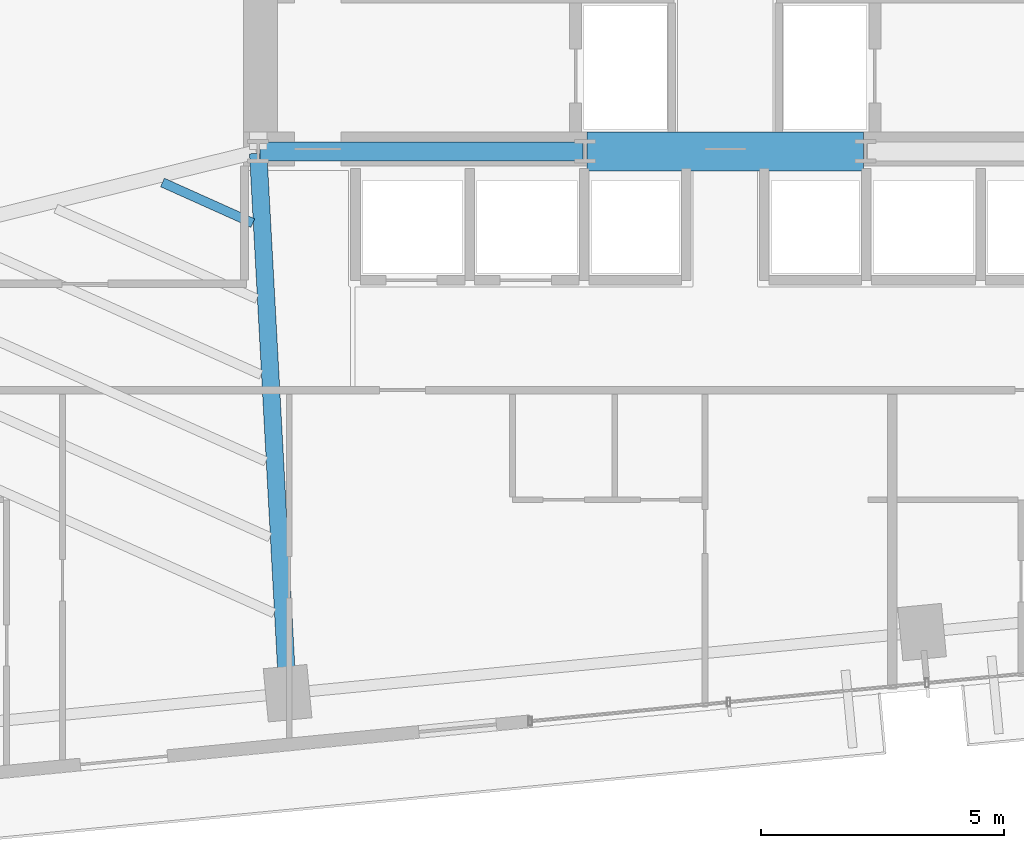
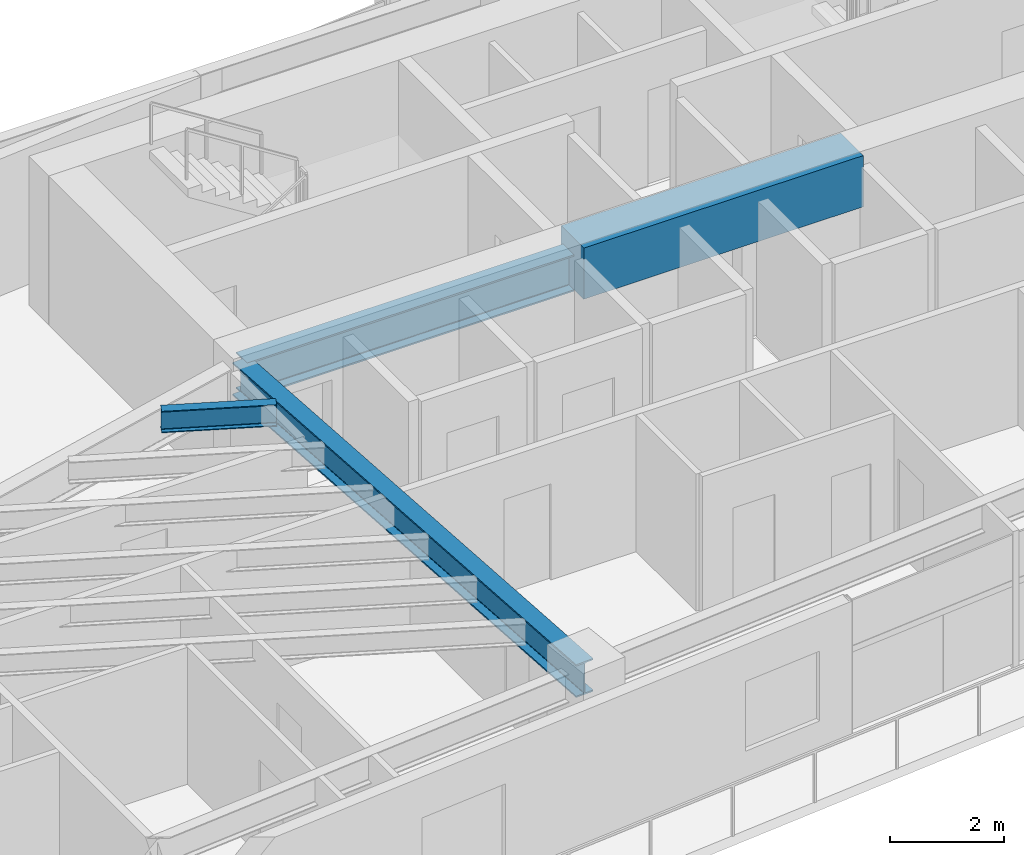
# One storey, part 7 of 27: 4 beams.
"""IFC4 building model written with IfcOpenShell, lengths in metres."""

from ifc_helpers import new_model, si_unit, direction, frame, origin, origin_2d, place, context, subcontext, project, spatial, rectangle, i_section, extrude, source, transform, mapped, material, material_profile, profile_set, type_object, type_shapes, element, save


model = new_model("IFC4")

# Units and contexts
model_context = context("Model", 3, precision=1e-05, world=origin(), true_north=direction((0.0, 1.0)))
body_context = subcontext(model_context, "Body", "Model", "MODEL_VIEW")
ifc_project = project(units=[si_unit("LENGTHUNIT", "METRE"), si_unit("AREAUNIT", "SQUARE_METRE"), si_unit("VOLUMEUNIT", "CUBIC_METRE"), si_unit("PLANEANGLEUNIT", "RADIAN"), si_unit("MASSUNIT", "GRAM", prefix="KILO")], contexts=[model_context])

# Site, building, storey
site_placement = place(None, origin())
site = spatial("IfcSite", under=ifc_project, at=site_placement, CompositionType="ELEMENT")
building_placement = place(site_placement, origin())
building = spatial("IfcBuilding", under=site, at=building_placement, Name="Astriad Promenade Condominiums", CompositionType="ELEMENT")
storey_placement = place(building_placement, frame((0.0, 0.0, 84.199951171875)))
storey = spatial("IfcBuildingStorey", under=building, at=storey_placement, Name="L23", CompositionType="ELEMENT", Elevation=84.199951171875)

# Beams
ifc_material_1 = material(Name="Steel ASTM A992 Grade 50", Category="steel")
ifc_material_profile_1 = material_profile(ifc_material_1, i_section(OverallWidth=0.3837890625, OverallDepth=0.785888671875, WebThickness=0.019775390625, FlangeThickness=0.033447265625, FilletRadius=0.021484375, at=origin_2d()), Name="W30X211")
ifc_profile_set_1 = profile_set([ifc_material_profile_1], Name="Steel ASTM A992 Grade 50")
beam_type_1 = type_object("IfcBeamType", Name="STEEL FLOOR GIRDER W30X211", PredefinedType="BEAM", material=ifc_profile_set_1)
shared_shape_1 = source(origin(), body_context, "Body", "SweptSolid", [
    extrude(i_section(OverallWidth=0.3837890625, OverallDepth=0.785888671875, WebThickness=0.019775390625, FlangeThickness=0.033447265625, FilletRadius=0.021484375, at=origin_2d()), origin(), (0.0, 0.0, 1.0), 6.64013671875),
])
type_shapes(beam_type_1, [shared_shape_1])
beam_1_placement = place(storey_placement, frame((26.43994140625, 17.39990234375, 2.547119140625), z_axis=(1.0, 0.0, 0.0), x_axis=(0.0, 1.0, 0.0)))
element("IfcBeam", 1, at=beam_1_placement, inside=storey, type_object=beam_type_1, Name="Core Ring Beam CG-S1-L23", PredefinedType="BEAM", context=body_context, shape_type="MappedRepresentation", body=[
    mapped(shared_shape_1, transform((0.0, 0.0, 0.0), scale=1.0)),
])
ifc_material_2 = material(Name="Concrete C80/95", Category="concrete")
ifc_material_profile_2 = material_profile(ifc_material_2, rectangle(XDim=0.800048828125, YDim=1.10009765625, at=origin_2d()), Name="RC-BM-800X1100")
ifc_profile_set_2 = profile_set([ifc_material_profile_2], Name="Concrete C80/95")
beam_type_2 = type_object("IfcBeamType", Name="CONCRETE CORE COUPLING LINTEL 800X1100", PredefinedType="LINTEL", material=ifc_profile_set_2)
shared_shape_2 = source(origin(), body_context, "Body", "SweptSolid", [
    extrude(rectangle(XDim=0.800048828125, YDim=1.10009765625, at=origin_2d()), origin(), (0.0, 0.0, 1.0), 5.68017578125),
])
type_shapes(beam_type_2, [shared_shape_2])
beam_2_placement = place(storey_placement, frame((33.159912109375, 17.39990234375, 2.630126953125), z_axis=(1.0, 0.0, 0.0), x_axis=(0.0, 1.0, 0.0)))
element("IfcBeam", 2, at=beam_2_placement, inside=storey, type_object=beam_type_2, Name="Core Ring Beam CG-S2-L23", PredefinedType="LINTEL", context=body_context, shape_type="MappedRepresentation", body=[
    mapped(shared_shape_2, transform((0.0, 0.0, 0.0), scale=1.0)),
])
ifc_material_profile_3 = material_profile(ifc_material_1, i_section(OverallWidth=0.35791015625, OverallDepth=0.706298828125, WebThickness=0.018310546875, FlangeThickness=0.0302734375, FilletRadius=0.020263671875, at=origin_2d()), Name="W27X178")
ifc_profile_set_3 = profile_set([ifc_material_profile_3], Name="Steel ASTM A992 Grade 50")
beam_type_3 = type_object("IfcBeamType", Name="STEEL FLOOR GIRDER W27X178", PredefinedType="BEAM", material=ifc_profile_set_3)
shared_shape_3 = source(origin(), body_context, "Body", "SweptSolid", [
    extrude(i_section(OverallWidth=0.35791015625, OverallDepth=0.706298828125, WebThickness=0.018310546875, FlangeThickness=0.0302734375, FilletRadius=0.020263671875, at=origin_2d()), origin(), (0.0, 0.0, 1.0), 11.071533203125),
])
type_shapes(beam_type_3, [shared_shape_3])
beam_3_placement = place(storey_placement, frame((27.00341796875, 6.304931640625, 2.5869140625), z_axis=(-0.05431219074, 0.998524003686, 0.0), x_axis=(-0.998524003686, -0.05431219074, 0.0)))
element("IfcBeam", 3, at=beam_3_placement, inside=storey, type_object=beam_type_3, Name="Primary Floor Girder PG-W2-L23", PredefinedType="BEAM", context=body_context, shape_type="MappedRepresentation", body=[
    mapped(shared_shape_3, transform((0.0, 0.0, 0.0), scale=1.0)),
])
ifc_material_profile_4 = material_profile(ifc_material_1, i_section(OverallWidth=0.19287109375, OverallDepth=0.466064453125, WebThickness=0.011474609375, FlangeThickness=0.01904296875, FilletRadius=0.01513671875, at=origin_2d()), Name="W18X65")
ifc_profile_set_4 = profile_set([ifc_material_profile_4], Name="Steel ASTM A992 Grade 50")
beam_type_4 = type_object("IfcBeamType", Name="STEEL FLOOR JOIST W18X65", PredefinedType="JOIST", material=ifc_profile_set_4)
shared_shape_4 = source(origin(), body_context, "Body", "SweptSolid", [
    extrude(i_section(OverallWidth=0.19287109375, OverallDepth=0.466064453125, WebThickness=0.011474609375, FlangeThickness=0.01904296875, FilletRadius=0.01513671875, at=origin_2d()), origin(), (0.0, 0.0, 1.0), 2.03564453125),
])
type_shapes(beam_type_4, [shared_shape_4])
beam_4_placement = place(storey_placement, frame((24.434814453125, 16.76123046875, 2.70703125), z_axis=(0.912286908711, -0.409551701492, 0.0), x_axis=(0.409551701492, 0.912286908711, 0.0)))
element("IfcBeam", 4, at=beam_4_placement, inside=storey, type_object=beam_type_4, Name="Secondary Composite Floor Joist JW1-6-L23", PredefinedType="JOIST", context=body_context, shape_type="MappedRepresentation", body=[
    mapped(shared_shape_4, transform((0.0, 0.0, 0.0), scale=1.0)),
])

save(model, "model.ifc")
